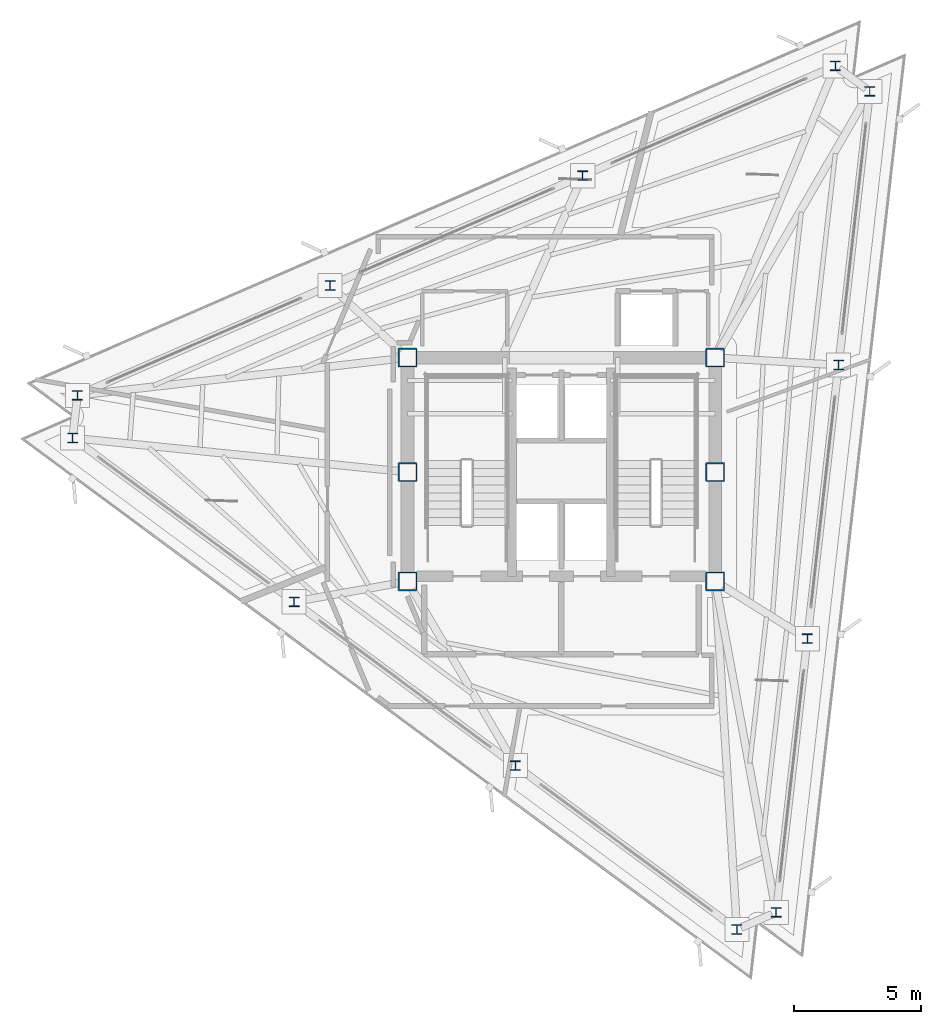
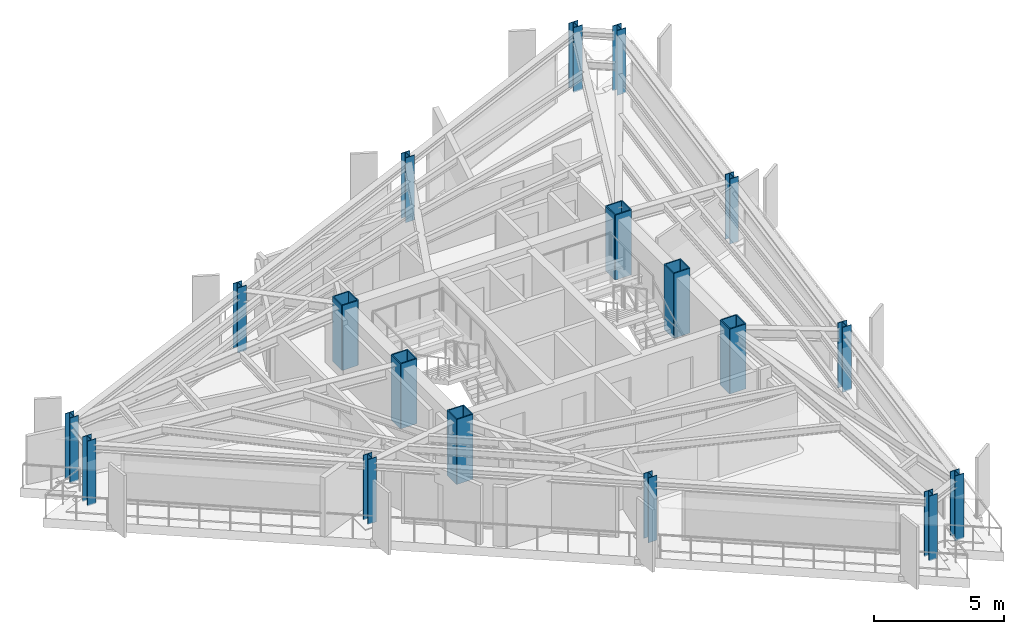
# One storey, part 1 of 10: 18 columns.
"""IFC4 building model written with IfcOpenShell, lengths in metres."""

import ifcopenshell
import ifcopenshell.guid

model = None  # the IFC model being written
_history = None  # IfcOwnerHistory: only IFC2X3 demands one
_inside = {}  # id of a spatial element -> (the spatial element, [elements in it])
_under = {}  # id of a project, library or spatial element -> (it, [spatial elements below it])
_declared = {}  # id of a project -> (the project, [libraries it declares])
_typed = {}  # id of a type object -> (the type object, [elements of that type])
_made_of = {}  # id of a material, layer set ... -> (it, [elements and type objects made of it])


def new_model(schema):
    """Start an empty IFC model of exactly this schema.

    Asked for "IFC4X3", IfcOpenShell would pick the latest addendum, in which some entities
    have other attributes; the version numbers below select the first issue.
    IFC2X3 requires an IfcOwnerHistory on every rooted entity: one is made here for all.
    """
    global model, _history
    if schema == "IFC4X3":
        model = ifcopenshell.file(schema_version=(4, 3, 0, 0))
    else:
        model = ifcopenshell.file(schema=schema)
    _inside.clear()
    _under.clear()
    _declared.clear()
    _typed.clear()
    _made_of.clear()
    _history = None
    if model.schema == "IFC2X3":
        org = make("IfcOrganization", Name="unknown")
        user = make(
            "IfcPersonAndOrganization",
            ThePerson=make("IfcPerson", FamilyName="unknown"),
            TheOrganization=org,
        )
        app = make(
            "IfcApplication",
            ApplicationDeveloper=org,
            Version="unknown",
            ApplicationFullName="unknown",
            ApplicationIdentifier="unknown",
        )
        _history = make(
            "IfcOwnerHistory",
            OwningUser=user,
            OwningApplication=app,
            ChangeAction="ADDED",
            CreationDate=0,
        )
    return model


def make(cls, **values):
    """One entity of the class cls with the attributes given. An attribute that is None is left unset."""
    return model.create_entity(
        cls, **{name: value for name, value in values.items() if value is not None}
    )


def rooted(cls, **values):
    """An entity with a GlobalId (a new one), such as an element, a storey or a relation."""
    return make(cls, GlobalId=ifcopenshell.guid.new(), OwnerHistory=_history, **values)


def si_unit(unit_type, name, prefix=None):
    """IfcSIUnit, for example si_unit("LENGTHUNIT", "METRE", prefix="MILLI")."""
    return make("IfcSIUnit", UnitType=unit_type, Prefix=prefix, Name=name)


def assignment(units):
    """IfcUnitAssignment: the units of a project."""
    return None if units is None else make("IfcUnitAssignment", Units=units)


def point(xyz):
    """IfcCartesianPoint."""
    return None if xyz is None else make("IfcCartesianPoint", Coordinates=xyz)


def direction(xyz):
    """IfcDirection."""
    return None if xyz is None else make("IfcDirection", DirectionRatios=xyz)


def frame(location, z_axis=None, x_axis=None):
    """IfcAxis2Placement3D, a coordinate frame: its origin and axes. An axis left out is left unset."""
    return make(
        "IfcAxis2Placement3D",
        Location=point(location),
        Axis=direction(z_axis),
        RefDirection=direction(x_axis),
    )


def frame_2d(location, x_axis=None):
    """IfcAxis2Placement2D, a coordinate frame in the plane: its origin and x axis."""
    return make(
        "IfcAxis2Placement2D", Location=point(location), RefDirection=direction(x_axis)
    )


def origin():
    """The frame at (0, 0, 0) with its axes left unset."""
    return frame((0.0, 0.0, 0.0))


def origin_2d():
    """The frame at (0, 0) in the plane with its x axis left unset."""
    return frame_2d((0.0, 0.0))


def place(relative_to, where):
    """IfcLocalPlacement: puts the frame where relative to a parent placement (None: the world)."""
    return make(
        "IfcLocalPlacement", PlacementRelTo=relative_to, RelativePlacement=where
    )


def context(
    kind, dimensions, precision=None, world=None, true_north=None, identifier=None
):
    """IfcGeometricRepresentationContext, for example the 3D "Model" context."""
    return make(
        "IfcGeometricRepresentationContext",
        ContextIdentifier=identifier,
        ContextType=kind,
        CoordinateSpaceDimension=dimensions,
        Precision=precision,
        WorldCoordinateSystem=world,
        TrueNorth=true_north,
    )


def subcontext(parent, identifier, kind, view, scale=None):
    """IfcGeometricRepresentationSubContext, for example "Body" below "Model"."""
    return make(
        "IfcGeometricRepresentationSubContext",
        ContextIdentifier=identifier,
        ContextType=kind,
        ParentContext=parent,
        TargetScale=scale,
        TargetView=view,
    )


def project(units=None, contexts=None):
    """IfcProject with its units and contexts."""
    return rooted(
        "IfcProject",
        Name="project",
        RepresentationContexts=contexts,
        UnitsInContext=assignment(units),
    )


def spatial(cls, under=None, at=None, **own):
    """A site, building, storey or space (cls), placed at a placement, below another one or the project."""
    s = rooted(cls, ObjectPlacement=at, **own)
    if under is not None:
        _under.setdefault(under.id(), (under, []))[1].append(s)
    return s


def profile(cls, at=None, kind="AREA", **sizes):
    """A parametric profile (cls). Its sizes go by their IFC names, for example OverallWidth=200.0."""
    return make(cls, ProfileType=kind, Position=at, **sizes)


def hollow_rectangle(**sizes):
    """IfcRectangleHollowProfileDef."""
    return profile("IfcRectangleHollowProfileDef", **sizes)


def i_section(**sizes):
    """IfcIShapeProfileDef."""
    return profile("IfcIShapeProfileDef", **sizes)


def extrude(swept, where, along, depth):
    """IfcExtrudedAreaSolid: the profile swept, set in the frame where, extruded along a direction by depth."""
    return make(
        "IfcExtrudedAreaSolid",
        SweptArea=swept,
        Position=where,
        ExtrudedDirection=direction(along),
        Depth=depth,
    )


def shape(context_of_items, identifier, shape_type, items):
    """IfcShapeRepresentation: the items that make up one representation, for example the "Body"."""
    return make(
        "IfcShapeRepresentation",
        ContextOfItems=context_of_items,
        RepresentationIdentifier=identifier,
        RepresentationType=shape_type,
        Items=items,
    )


def material(Name=None, Category=None):
    """IfcMaterial."""
    return make("IfcMaterial", Name=Name, Category=Category)


def material_profile(
    of_material, cross_section, Name=None, Category=None, Priority=None
):
    """IfcMaterialProfile: a cross section and its material."""
    return make(
        "IfcMaterialProfile",
        Name=Name,
        Material=of_material,
        Profile=cross_section,
        Priority=Priority,
        Category=Category,
    )


def profile_set(profiles, Name=None, composite=None):
    """IfcMaterialProfileSet."""
    return make(
        "IfcMaterialProfileSet",
        Name=Name,
        MaterialProfiles=profiles,
        CompositeProfile=composite,
    )


def made_of(thing, what):
    """Note that an element or type object is made of a material, layer set ...; save() writes the relation."""
    if what is not None:
        _made_of.setdefault(what.id(), (what, []))[1].append(thing)
    return thing


def type_object(cls, material=None, **own):
    """A type object (cls), such as IfcWallType, which elements share."""
    return made_of(rooted(cls, **own), material)


def element(
    cls,
    number,
    at=None,
    inside=None,
    cuts=None,
    type_object=None,
    material=None,
    context=None,
    identifier="Body",
    shape_type=None,
    held_by="IfcProductDefinitionShape",
    body=None,
    shapes=None,
    **own,
):
    """One element of the class cls, such as IfcWall. Its Tag is "e" and its number.

    at: its placement. inside: the storey or other place that contains it. cuts: it is an
    opening in that element (IfcRelVoidsElement). A single representation is given by context,
    identifier, shape_type and body (its items); several are given by shapes. held_by: the class
    of the entity that holds the representations. save() writes the other relations.
    """
    e = rooted(cls, Tag="e%d" % number, ObjectPlacement=at, **own)
    if body is not None:
        shapes = [shape(context, identifier, shape_type, body)]
    if shapes is not None:
        e.Representation = make(held_by, Representations=shapes)
    if inside is not None:
        _inside.setdefault(inside.id(), (inside, []))[1].append(e)
    if cuts is not None:
        rooted(
            "IfcRelVoidsElement", RelatingBuildingElement=cuts, RelatedOpeningElement=e
        )
    if type_object is not None:
        _typed.setdefault(type_object.id(), (type_object, []))[1].append(e)
    return made_of(e, material)


def aggregate(whole, parts):
    """IfcRelAggregates: a whole, such as a stair, and the parts it consists of."""
    return rooted("IfcRelAggregates", RelatingObject=whole, RelatedObjects=parts)


def save(model, path):
    """Write the relations noted so far, then the file.

    IfcRelAggregates (storeys below a building ...), IfcRelContainedInSpatialStructure (elements
    in a storey), IfcRelDefinesByType, IfcRelAssociatesMaterial and IfcRelDeclares: one each for
    every whole, place, type object, material and project.
    """
    for whole, parts in _under.values():
        aggregate(whole, parts)
    for where, things in _inside.values():
        rooted(
            "IfcRelContainedInSpatialStructure",
            RelatedElements=things,
            RelatingStructure=where,
        )
    for kind, things in _typed.values():
        rooted("IfcRelDefinesByType", RelatedObjects=things, RelatingType=kind)
    for what, things in _made_of.values():
        rooted("IfcRelAssociatesMaterial", RelatedObjects=things, RelatingMaterial=what)
    for by, libraries in _declared.values():
        rooted("IfcRelDeclares", RelatingContext=by, RelatedDefinitions=libraries)
    model.write(path)


model = new_model("IFC4")

# Units and contexts
model_context = context("Model", 3, precision=1e-05, world=origin(), true_north=direction((0.0, 1.0)))
body_context = subcontext(model_context, "Body", "Model", "MODEL_VIEW")
ifc_project = project(units=[si_unit("LENGTHUNIT", "METRE"), si_unit("AREAUNIT", "SQUARE_METRE"), si_unit("VOLUMEUNIT", "CUBIC_METRE"), si_unit("PLANEANGLEUNIT", "RADIAN"), si_unit("MASSUNIT", "GRAM", prefix="KILO")], contexts=[model_context])

# Site, building, storey
site_placement = place(None, origin())
site = spatial("IfcSite", under=ifc_project, at=site_placement, CompositionType="ELEMENT")
building_placement = place(site_placement, origin())
building = spatial("IfcBuilding", under=site, at=building_placement, Name="Rocaltana Carrier Exchange", CompositionType="ELEMENT")
storey_placement = place(building_placement, frame((0.0, 0.0, 214.8798828125)))
storey = spatial("IfcBuildingStorey", under=building, at=storey_placement, Name="L68", CompositionType="ELEMENT", Elevation=214.8798828125)

# Columns
ifc_material_1 = material(Name="Steel S460", Category="steel")
ifc_material_profile_1 = material_profile(ifc_material_1, hollow_rectangle(XDim=0.75, YDim=0.75, WallThickness=0.050048828125, InnerFilletRadius=0.02001953125, OuterFilletRadius=0.0400390625, at=origin_2d()), Name="BOX750X750X50")
ifc_profile_set_1 = profile_set([ifc_material_profile_1], Name="Steel S460")
column_type_1 = type_object("IfcColumnType", Name="Core Mega-Column BOX750", PredefinedType="COLUMN", material=ifc_profile_set_1)
for number, where, z_axis, x_axis, name in (
    (1, (-6.050048828125, 4.5, 0.0), (0.0, 0.0, 1.0), (1.0, 0.0, 0.0), "L68 Core Mega-Column MC1"),
    (2, (6.050048828125, 4.5, 0.0), (0.0, 0.0, 1.0), (1.0, 0.0, 0.0), "L68 Core Mega-Column MC2"),
    (3, (-6.050048828125, 0.0, 0.0), (0.0, 0.0, 1.0), (1.0, 0.0, 0.0), "L68 Core Mega-Column MC3"),
    (4, (6.050048828125, 0.0, 0.0), (0.0, 0.0, 1.0), (1.0, 0.0, 0.0), "L68 Core Mega-Column MC4"),
    (5, (-6.050048828125, -4.300048828125, 0.0), (0.0, 0.0, 1.0), (1.0, 0.0, 0.0), "L68 Core Mega-Column MC5"),
    (6, (6.050048828125, -4.300048828125, 0.0), (0.0, 0.0, 1.0), (1.0, 0.0, 0.0), "L68 Core Mega-Column MC6"),
):
    element("IfcColumn", number, at=place(storey_placement, frame(where, z_axis=z_axis, x_axis=x_axis)), inside=storey, type_object=column_type_1, Name=name, PredefinedType="COLUMN", context=body_context, shape_type="SweptSolid", body=[
        extrude(hollow_rectangle(XDim=0.75, YDim=0.75, WallThickness=0.050048828125, InnerFilletRadius=0.02001953125, OuterFilletRadius=0.0400390625, at=origin_2d()), origin(), (0.0, 0.0, 1.0), 3.0400390625),
    ])
ifc_material_2 = material(Name="Steel S355", Category="steel")
ifc_material_profile_2 = material_profile(ifc_material_2, i_section(OverallWidth=0.39404296875, OverallDepth=0.375, WebThickness=0.017333984375, FlangeThickness=0.027587890625, FilletRadius=0.01611328125, at=origin_2d()), Name="W14X145")
ifc_profile_set_2 = profile_set([ifc_material_profile_2], Name="Steel S355")
column_type_2 = type_object("IfcColumnType", Name="Perimeter Column W14X145", PredefinedType="COLUMN", material=ifc_profile_set_2)
for number, where, z_axis, x_axis, name in (
    (7, (8.448486328125, -17.317626953125, 0.0), (0.0, 0.0, 1.0), (1.0, 0.0, 0.0), "L68 Perimeter Column TC01"),
    (8, (9.675048828125, -6.553955078125, 0.0), (0.0, 0.0, 1.0), (1.0, 0.0, 0.0), "L68 Perimeter Column TC02"),
    (9, (10.9013671875, 4.209716796875, 0.0), (0.0, 0.0, 1.0), (1.0, 0.0, 0.0), "L68 Perimeter Column TC03"),
    (10, (12.127685546875, 14.973388671875, 0.0), (0.0, 0.0, 1.0), (1.0, 0.0, 0.0), "L68 Perimeter Column TC04"),
    (11, (10.773193359375, 15.9755859375, 0.0), (0.0, 0.0, 1.0), (1.0, 0.0, 0.0), "L68 Perimeter Column TC05"),
    (12, (0.83837890625, 11.65576171875, 0.0), (0.0, 0.0, 1.0), (1.0, 0.0, 0.0), "L68 Perimeter Column TC06"),
    (13, (-9.096435546875, 7.3359375, 0.0), (0.0, 0.0, 1.0), (1.0, 0.0, 0.0), "L68 Perimeter Column TC07"),
    (14, (-19.03125, 3.01611328125, 0.0), (0.0, 0.0, 1.0), (1.0, 0.0, 0.0), "L68 Perimeter Column TC08"),
    (15, (-19.221923828125, 1.342041015625, 0.0), (0.0, 0.0, 1.0), (1.0, 0.0, 0.0), "L68 Perimeter Column TC09"),
    (16, (-10.513427734375, -5.101806640625, 0.0), (0.0, 0.0, 1.0), (1.0, 0.0, 0.0), "L68 Perimeter Column TC10"),
    (17, (-1.804931640625, -11.545654296875, 0.0), (0.0, 0.0, 1.0), (1.0, 0.0, 0.0), "L68 Perimeter Column TC11"),
    (18, (6.9033203125, -17.989501953125, 0.0), (0.0, 0.0, 1.0), (1.0, 0.0, 0.0), "L68 Perimeter Column TC12"),
):
    element("IfcColumn", number, at=place(storey_placement, frame(where, z_axis=z_axis, x_axis=x_axis)), inside=storey, type_object=column_type_2, Name=name, PredefinedType="COLUMN", context=body_context, shape_type="SweptSolid", body=[
        extrude(i_section(OverallWidth=0.39404296875, OverallDepth=0.375, WebThickness=0.017333984375, FlangeThickness=0.027587890625, FilletRadius=0.01611328125, at=origin_2d()), origin(), (0.0, 0.0, 1.0), 3.0400390625),
    ])

save(model, "model.ifc")
